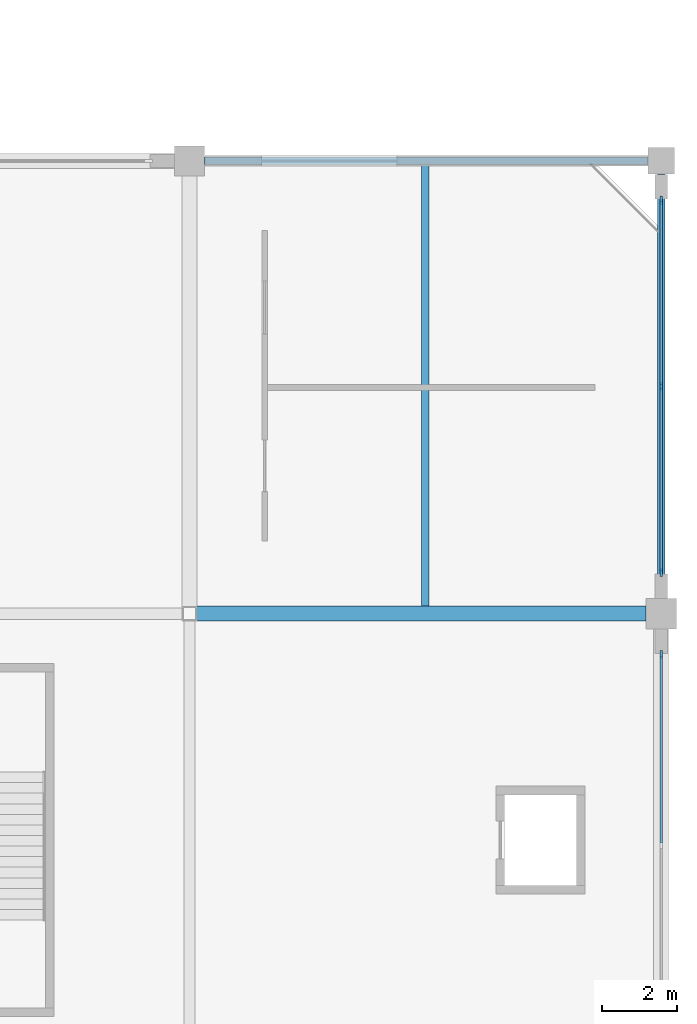
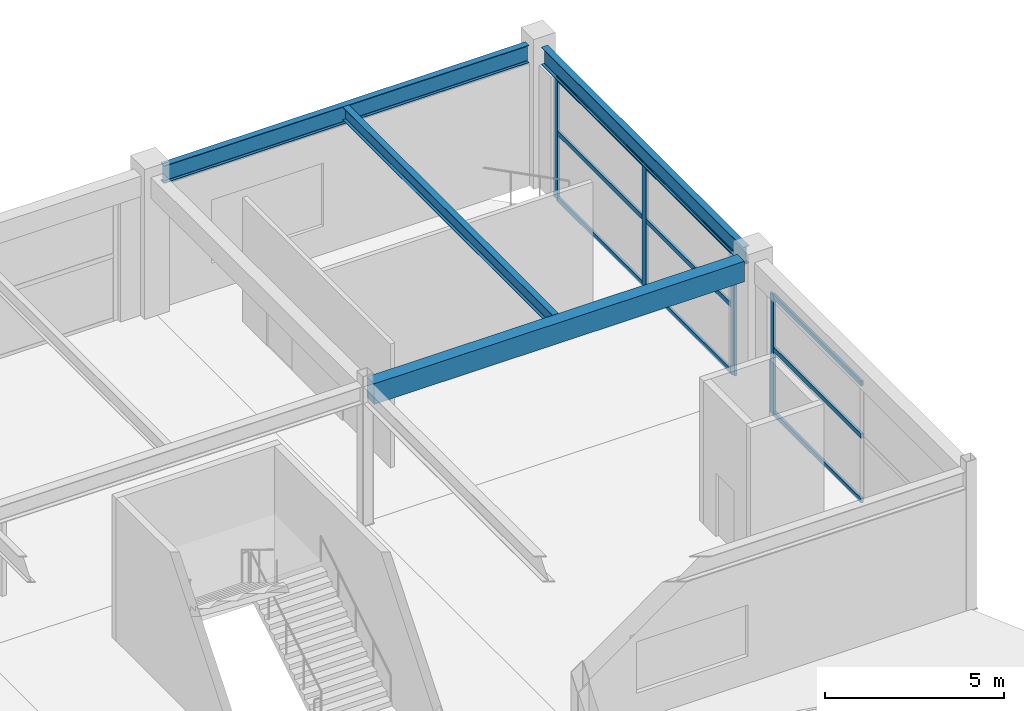
# One storey, part 68 of 128: 13 members, 4 beams, 2 elements without a shape of their own.
"""IFC4 building model written with IfcOpenShell, lengths in metres."""

import ifcopenshell
import ifcopenshell.guid

model = None  # the IFC model being written
_history = None  # IfcOwnerHistory: only IFC2X3 demands one
_inside = {}  # id of a spatial element -> (the spatial element, [elements in it])
_under = {}  # id of a project, library or spatial element -> (it, [spatial elements below it])
_declared = {}  # id of a project -> (the project, [libraries it declares])
_typed = {}  # id of a type object -> (the type object, [elements of that type])
_made_of = {}  # id of a material, layer set ... -> (it, [elements and type objects made of it])


def new_model(schema):
    """Start an empty IFC model of exactly this schema.

    Asked for "IFC4X3", IfcOpenShell would pick the latest addendum, in which some entities
    have other attributes; the version numbers below select the first issue.
    IFC2X3 requires an IfcOwnerHistory on every rooted entity: one is made here for all.
    """
    global model, _history
    if schema == "IFC4X3":
        model = ifcopenshell.file(schema_version=(4, 3, 0, 0))
    else:
        model = ifcopenshell.file(schema=schema)
    _inside.clear()
    _under.clear()
    _declared.clear()
    _typed.clear()
    _made_of.clear()
    _history = None
    if model.schema == "IFC2X3":
        org = make("IfcOrganization", Name="unknown")
        user = make(
            "IfcPersonAndOrganization",
            ThePerson=make("IfcPerson", FamilyName="unknown"),
            TheOrganization=org,
        )
        app = make(
            "IfcApplication",
            ApplicationDeveloper=org,
            Version="unknown",
            ApplicationFullName="unknown",
            ApplicationIdentifier="unknown",
        )
        _history = make(
            "IfcOwnerHistory",
            OwningUser=user,
            OwningApplication=app,
            ChangeAction="ADDED",
            CreationDate=0,
        )
    return model


def make(cls, **values):
    """One entity of the class cls with the attributes given. An attribute that is None is left unset."""
    return model.create_entity(
        cls, **{name: value for name, value in values.items() if value is not None}
    )


def rooted(cls, **values):
    """An entity with a GlobalId (a new one), such as an element, a storey or a relation."""
    return make(cls, GlobalId=ifcopenshell.guid.new(), OwnerHistory=_history, **values)


def si_unit(unit_type, name, prefix=None):
    """IfcSIUnit, for example si_unit("LENGTHUNIT", "METRE", prefix="MILLI")."""
    return make("IfcSIUnit", UnitType=unit_type, Prefix=prefix, Name=name)


def assignment(units):
    """IfcUnitAssignment: the units of a project."""
    return None if units is None else make("IfcUnitAssignment", Units=units)


def point(xyz):
    """IfcCartesianPoint."""
    return None if xyz is None else make("IfcCartesianPoint", Coordinates=xyz)


def direction(xyz):
    """IfcDirection."""
    return None if xyz is None else make("IfcDirection", DirectionRatios=xyz)


def frame(location, z_axis=None, x_axis=None):
    """IfcAxis2Placement3D, a coordinate frame: its origin and axes. An axis left out is left unset."""
    return make(
        "IfcAxis2Placement3D",
        Location=point(location),
        Axis=direction(z_axis),
        RefDirection=direction(x_axis),
    )


def frame_2d(location, x_axis=None):
    """IfcAxis2Placement2D, a coordinate frame in the plane: its origin and x axis."""
    return make(
        "IfcAxis2Placement2D", Location=point(location), RefDirection=direction(x_axis)
    )


def origin():
    """The frame at (0, 0, 0) with its axes left unset."""
    return frame((0.0, 0.0, 0.0))


def origin_2d():
    """The frame at (0, 0) in the plane with its x axis left unset."""
    return frame_2d((0.0, 0.0))


def place(relative_to, where):
    """IfcLocalPlacement: puts the frame where relative to a parent placement (None: the world)."""
    return make(
        "IfcLocalPlacement", PlacementRelTo=relative_to, RelativePlacement=where
    )


def context(
    kind, dimensions, precision=None, world=None, true_north=None, identifier=None
):
    """IfcGeometricRepresentationContext, for example the 3D "Model" context."""
    return make(
        "IfcGeometricRepresentationContext",
        ContextIdentifier=identifier,
        ContextType=kind,
        CoordinateSpaceDimension=dimensions,
        Precision=precision,
        WorldCoordinateSystem=world,
        TrueNorth=true_north,
    )


def subcontext(parent, identifier, kind, view, scale=None):
    """IfcGeometricRepresentationSubContext, for example "Body" below "Model"."""
    return make(
        "IfcGeometricRepresentationSubContext",
        ContextIdentifier=identifier,
        ContextType=kind,
        ParentContext=parent,
        TargetScale=scale,
        TargetView=view,
    )


def project(units=None, contexts=None):
    """IfcProject with its units and contexts."""
    return rooted(
        "IfcProject",
        Name="project",
        RepresentationContexts=contexts,
        UnitsInContext=assignment(units),
    )


def spatial(cls, under=None, at=None, **own):
    """A site, building, storey or space (cls), placed at a placement, below another one or the project."""
    s = rooted(cls, ObjectPlacement=at, **own)
    if under is not None:
        _under.setdefault(under.id(), (under, []))[1].append(s)
    return s


def profile(cls, at=None, kind="AREA", **sizes):
    """A parametric profile (cls). Its sizes go by their IFC names, for example OverallWidth=200.0."""
    return make(cls, ProfileType=kind, Position=at, **sizes)


def rectangle(**sizes):
    """IfcRectangleProfileDef."""
    return profile("IfcRectangleProfileDef", **sizes)


def i_section(**sizes):
    """IfcIShapeProfileDef."""
    return profile("IfcIShapeProfileDef", **sizes)


def extrude(swept, where, along, depth):
    """IfcExtrudedAreaSolid: the profile swept, set in the frame where, extruded along a direction by depth."""
    return make(
        "IfcExtrudedAreaSolid",
        SweptArea=swept,
        Position=where,
        ExtrudedDirection=direction(along),
        Depth=depth,
    )


def shape(context_of_items, identifier, shape_type, items):
    """IfcShapeRepresentation: the items that make up one representation, for example the "Body"."""
    return make(
        "IfcShapeRepresentation",
        ContextOfItems=context_of_items,
        RepresentationIdentifier=identifier,
        RepresentationType=shape_type,
        Items=items,
    )


def material(Name=None, Category=None):
    """IfcMaterial."""
    return make("IfcMaterial", Name=Name, Category=Category)


def layer(
    of_material, thickness, ventilated=None, Name=None, Category=None, Priority=None
):
    """IfcMaterialLayer: one layer of a wall or slab, of a material (None: an air gap)."""
    return make(
        "IfcMaterialLayer",
        Material=of_material,
        LayerThickness=thickness,
        IsVentilated=ventilated,
        Name=Name,
        Category=Category,
        Priority=Priority,
    )


def layer_set(layers, Name=None):
    """IfcMaterialLayerSet."""
    return make("IfcMaterialLayerSet", MaterialLayers=layers, LayerSetName=Name)


def material_profile(
    of_material, cross_section, Name=None, Category=None, Priority=None
):
    """IfcMaterialProfile: a cross section and its material."""
    return make(
        "IfcMaterialProfile",
        Name=Name,
        Material=of_material,
        Profile=cross_section,
        Priority=Priority,
        Category=Category,
    )


def profile_set(profiles, Name=None, composite=None):
    """IfcMaterialProfileSet."""
    return make(
        "IfcMaterialProfileSet",
        Name=Name,
        MaterialProfiles=profiles,
        CompositeProfile=composite,
    )


def made_of(thing, what):
    """Note that an element or type object is made of a material, layer set ...; save() writes the relation."""
    if what is not None:
        _made_of.setdefault(what.id(), (what, []))[1].append(thing)
    return thing


def type_object(cls, material=None, **own):
    """A type object (cls), such as IfcWallType, which elements share."""
    return made_of(rooted(cls, **own), material)


def element(
    cls,
    number,
    at=None,
    inside=None,
    cuts=None,
    type_object=None,
    material=None,
    context=None,
    identifier="Body",
    shape_type=None,
    held_by="IfcProductDefinitionShape",
    body=None,
    shapes=None,
    **own,
):
    """One element of the class cls, such as IfcWall. Its Tag is "e" and its number.

    at: its placement. inside: the storey or other place that contains it. cuts: it is an
    opening in that element (IfcRelVoidsElement). A single representation is given by context,
    identifier, shape_type and body (its items); several are given by shapes. held_by: the class
    of the entity that holds the representations. save() writes the other relations.
    """
    e = rooted(cls, Tag="e%d" % number, ObjectPlacement=at, **own)
    if body is not None:
        shapes = [shape(context, identifier, shape_type, body)]
    if shapes is not None:
        e.Representation = make(held_by, Representations=shapes)
    if inside is not None:
        _inside.setdefault(inside.id(), (inside, []))[1].append(e)
    if cuts is not None:
        rooted(
            "IfcRelVoidsElement", RelatingBuildingElement=cuts, RelatedOpeningElement=e
        )
    if type_object is not None:
        _typed.setdefault(type_object.id(), (type_object, []))[1].append(e)
    return made_of(e, material)


def aggregate(whole, parts):
    """IfcRelAggregates: a whole, such as a stair, and the parts it consists of."""
    return rooted("IfcRelAggregates", RelatingObject=whole, RelatedObjects=parts)


def save(model, path):
    """Write the relations noted so far, then the file.

    IfcRelAggregates (storeys below a building ...), IfcRelContainedInSpatialStructure (elements
    in a storey), IfcRelDefinesByType, IfcRelAssociatesMaterial and IfcRelDeclares: one each for
    every whole, place, type object, material and project.
    """
    for whole, parts in _under.values():
        aggregate(whole, parts)
    for where, things in _inside.values():
        rooted(
            "IfcRelContainedInSpatialStructure",
            RelatedElements=things,
            RelatingStructure=where,
        )
    for kind, things in _typed.values():
        rooted("IfcRelDefinesByType", RelatedObjects=things, RelatingType=kind)
    for what, things in _made_of.values():
        rooted("IfcRelAssociatesMaterial", RelatedObjects=things, RelatingMaterial=what)
    for by, libraries in _declared.values():
        rooted("IfcRelDeclares", RelatingContext=by, RelatedDefinitions=libraries)
    model.write(path)


model = new_model("IFC4")

# Units and contexts
model_context = context("Model", 3, precision=1e-05, world=origin(), true_north=direction((0.0, 1.0)))
body_context = subcontext(model_context, "Body", "Model", "MODEL_VIEW")
ifc_project = project(units=[si_unit("LENGTHUNIT", "METRE"), si_unit("AREAUNIT", "SQUARE_METRE"), si_unit("VOLUMEUNIT", "CUBIC_METRE"), si_unit("PLANEANGLEUNIT", "RADIAN"), si_unit("MASSUNIT", "GRAM", prefix="KILO")], contexts=[model_context])

# Site, building, storey
site_placement = place(None, origin())
site = spatial("IfcSite", under=ifc_project, at=site_placement, CompositionType="ELEMENT")
building_placement = place(site_placement, origin())
building = spatial("IfcBuilding", under=site, at=building_placement, Name="Kazenohara Klinker Stadium", CompositionType="ELEMENT")
storey_placement = place(building_placement, frame((0.0, 0.0, 15.300048828125)))
storey = spatial("IfcBuildingStorey", under=building, at=storey_placement, Name="L03", CompositionType="ELEMENT", Elevation=15.300048828125)

# Beams
ifc_material_1 = material(Name="Steel S355", Category="steel")
ifc_material_profile_1 = material_profile(ifc_material_1, i_section(OverallWidth=0.199951171875, OverallDepth=0.449951171875, WebThickness=0.009033203125, FlangeThickness=0.013916015625, FilletRadius=0.012939453125, at=origin_2d()), Name="H-450x200x9x14")
ifc_profile_set_1 = profile_set([ifc_material_profile_1], Name="Steel S355")
beam_type_1 = type_object("IfcBeamType", Name="BM-JST02", PredefinedType="JOIST", material=ifc_profile_set_1)
beam_1_placement = place(storey_placement, frame((193.75, 144.199951171875, 4.534912109375), z_axis=(0.0, 1.0, 0.0), x_axis=(-1.0, 0.0, 0.0)))
element("IfcBeam", 1, at=beam_1_placement, inside=storey, type_object=beam_type_1, Name="Secondary floor joist SJ02 L03 16/N", PredefinedType="JOIST", context=body_context, shape_type="SweptSolid", body=[
    extrude(i_section(OverallWidth=0.199951171875, OverallDepth=0.449951171875, WebThickness=0.009033203125, FlangeThickness=0.013916015625, FilletRadius=0.012939453125, at=origin_2d()), origin(), (0.0, 0.0, 1.0), 11.699951171875),
])
ifc_material_2 = material(Name="Concrete C40/50", Category="concrete")
ifc_material_profile_2 = material_profile(ifc_material_2, rectangle(XDim=0.39990234375, YDim=0.699951171875, at=origin_2d()), Name="RC-BM-400x700")
ifc_profile_set_2 = profile_set([ifc_material_profile_2], Name="Concrete C40/50")
beam_type_2 = type_object("IfcBeamType", Name="BM-RC04", PredefinedType="BEAM", material=ifc_profile_set_2)
beam_2_placement = place(storey_placement, frame((187.675048828125, 144.0, 4.409912109375), z_axis=(1.0, 0.0, 0.0), x_axis=(0.0, 1.0, 0.0)))
element("IfcBeam", 2, at=beam_2_placement, inside=storey, type_object=beam_type_2, Name="Primary girder BG04 L03 16-17/N", PredefinedType="BEAM", context=body_context, shape_type="SweptSolid", body=[
    extrude(rectangle(XDim=0.39990234375, YDim=0.699951171875, at=origin_2d()), origin(), (0.0, 0.0, 1.0), 11.925048828125),
])
ifc_material_profile_3 = material_profile(ifc_material_1, i_section(OverallWidth=0.199951171875, OverallDepth=0.60009765625, WebThickness=0.010986328125, FlangeThickness=0.01708984375, FilletRadius=0.012939453125, at=origin_2d()), Name="H-600x200x11x17")
ifc_profile_set_3 = profile_set([ifc_material_profile_3], Name="Steel S355")
beam_type_3 = type_object("IfcBeamType", Name="BM-ST04", PredefinedType="BEAM", material=ifc_profile_set_3)
beam_3_placement = place(storey_placement, frame((187.89990234375, 156.0, 4.4599609375), z_axis=(1.0, 0.0, 0.0), x_axis=(0.0, 1.0, 0.0)))
element("IfcBeam", 3, at=beam_3_placement, inside=storey, type_object=beam_type_3, Name="Primary girder SB04 L03 16-17/P", PredefinedType="BEAM", context=body_context, shape_type="SweptSolid", body=[
    extrude(i_section(OverallWidth=0.199951171875, OverallDepth=0.60009765625, WebThickness=0.010986328125, FlangeThickness=0.01708984375, FilletRadius=0.012939453125, at=origin_2d()), origin(), (0.0, 0.0, 1.0), 11.75),
])
beam_4_placement = place(storey_placement, frame((200.0, 144.39990234375, 4.4599609375), z_axis=(0.0, 1.0, 0.0), x_axis=(-1.0, 0.0, 0.0)))
element("IfcBeam", 4, at=beam_4_placement, inside=storey, type_object=beam_type_3, Name="Primary girder SB04 L03 17/N-P", PredefinedType="BEAM", context=body_context, shape_type="SweptSolid", body=[
    extrude(i_section(OverallWidth=0.199951171875, OverallDepth=0.60009765625, WebThickness=0.010986328125, FlangeThickness=0.01708984375, FilletRadius=0.012939453125, at=origin_2d()), origin(), (0.0, 0.0, 1.0), 11.25),
])

# Curtain wall, member
ifc_material_3 = material(Name="Anodised aluminium and triple glazing", Category="aluminium")
ifc_layer_1 = layer(ifc_material_3, 0.169921875)
ifc_layer_set_1 = layer_set([ifc_layer_1], Name="Anodised aluminium and triple glazing")
curtain_wall_type_1 = type_object("IfcCurtainWallType", Name="CW-SYS-04", PredefinedType="USERDEFINED", material=ifc_layer_set_1)
curtain_wall_1_placement = place(storey_placement, origin())
curtain_wall_1 = element("IfcCurtainWall", 5, at=curtain_wall_1_placement, inside=storey, type_object=curtain_wall_type_1, Name="Unitised facade curtain wall CW04 L03 Y16-11", ObjectType="UNITISED CURTAIN WALL", PredefinedType="USERDEFINED")
ifc_material_4 = material(Name="Anodised aluminium 6063-T6", Category="aluminium")
ifc_material_profile_4 = material_profile(ifc_material_4, rectangle(XDim=0.074951171875, YDim=0.219970703125, at=origin_2d()), Name="ALU-MUL-75x220")
ifc_profile_set_4 = profile_set([ifc_material_profile_4], Name="Anodised aluminium 6063-T6")
member_type_1 = type_object("IfcMemberType", Name="CW-MUL-220", PredefinedType="MULLION", material=ifc_profile_set_4)
member_1_placement = place(storey_placement, frame((200.0, 142.908447265625, 0.0), z_axis=(0.0, 0.0, 1.0), x_axis=(-1.0, 0.0, 0.0)))
member_1 = element("IfcMember", 6, at=member_1_placement, type_object=member_type_1, Name="CW04 mullion 3", PredefinedType="MULLION", context=body_context, shape_type="SweptSolid", body=[
    extrude(rectangle(XDim=0.074951171875, YDim=0.219970703125, at=origin_2d()), origin(), (0.0, 0.0, 1.0), 4.06005859375),
])

# Curtain wall, members
ifc_layer_2 = layer(ifc_material_3, 0.18994140625)
ifc_layer_set_2 = layer_set([ifc_layer_2], Name="Anodised aluminium and triple glazing")
curtain_wall_type_2 = type_object("IfcCurtainWallType", Name="CW-SYS-05", PredefinedType="USERDEFINED", material=ifc_layer_set_2)
curtain_wall_2_placement = place(storey_placement, origin())
curtain_wall_2 = element("IfcCurtainWall", 7, at=curtain_wall_2_placement, inside=storey, type_object=curtain_wall_type_2, Name="Unitised facade curtain wall CW05 L03 Y16-12", ObjectType="UNITISED CURTAIN WALL", PredefinedType="USERDEFINED")
member_2_placement = place(storey_placement, frame((200.0, 145.091552734375, 0.0), z_axis=(0.0, 0.0, 1.0), x_axis=(-1.0, 0.0, 0.0)))
member_2 = element("IfcMember", 8, at=member_2_placement, type_object=member_type_1, Name="CW05 mullion 1", PredefinedType="MULLION", context=body_context, shape_type="SweptSolid", body=[
    extrude(rectangle(XDim=0.074951171875, YDim=0.219970703125, at=origin_2d()), origin(), (0.0, 0.0, 1.0), 4.159912109375),
])
member_3_placement = place(storey_placement, frame((200.0, 150.02490234375, 0.0), z_axis=(0.0, 0.0, 1.0), x_axis=(-1.0, 0.0, 0.0)))
member_3 = element("IfcMember", 9, at=member_3_placement, type_object=member_type_1, Name="CW05 mullion 2", PredefinedType="MULLION", context=body_context, shape_type="SweptSolid", body=[
    extrude(rectangle(XDim=0.074951171875, YDim=0.219970703125, at=origin_2d()), origin(), (0.0, 0.0, 1.0), 4.159912109375),
])
member_4_placement = place(storey_placement, frame((200.0, 154.95849609375, 0.0), z_axis=(0.0, 0.0, 1.0), x_axis=(-1.0, 0.0, 0.0)))
member_4 = element("IfcMember", 10, at=member_4_placement, type_object=member_type_1, Name="CW05 mullion 3", PredefinedType="MULLION", context=body_context, shape_type="SweptSolid", body=[
    extrude(rectangle(XDim=0.074951171875, YDim=0.219970703125, at=origin_2d()), origin(), (0.0, 0.0, 1.0), 4.159912109375),
])

# Member
ifc_material_profile_5 = material_profile(ifc_material_4, rectangle(XDim=0.074951171875, YDim=0.159912109375, at=origin_2d()), Name="ALU-TRN-75x160")
ifc_profile_set_5 = profile_set([ifc_material_profile_5], Name="Anodised aluminium 6063-T6")
member_type_2 = type_object("IfcMemberType", Name="CW-TRN-160", PredefinedType="USERDEFINED", material=ifc_profile_set_5)
member_5_placement = place(storey_placement, frame((200.0, 137.925048828125, 0.037353515625), z_axis=(0.0, 1.0, 0.0), x_axis=(-1.0, 0.0, 0.0)))
member_5 = element("IfcMember", 11, at=member_5_placement, type_object=member_type_2, Name="CW04 transom 2.1", ObjectType="TRANSOM", PredefinedType="USERDEFINED", context=body_context, shape_type="SweptSolid", body=[
    extrude(rectangle(XDim=0.074951171875, YDim=0.159912109375, at=origin_2d()), origin(), (0.0, 0.0, 1.0), 4.946044921875),
])

member_6_placement = place(storey_placement, frame((200.0, 137.925048828125, 2.23291015625), z_axis=(0.0, 1.0, 0.0), x_axis=(-1.0, 0.0, 0.0)))
member_6 = element("IfcMember", 12, at=member_6_placement, type_object=member_type_2, Name="CW04 transom 2.2", ObjectType="TRANSOM", PredefinedType="USERDEFINED", context=body_context, shape_type="SweptSolid", body=[
    extrude(rectangle(XDim=0.074951171875, YDim=0.159912109375, at=origin_2d()), origin(), (0.0, 0.0, 1.0), 4.946044921875),
])

member_7_placement = place(storey_placement, frame((200.0, 137.925048828125, 4.0224609375), z_axis=(0.0, 1.0, 0.0), x_axis=(-1.0, 0.0, 0.0)))
member_7 = element("IfcMember", 13, at=member_7_placement, type_object=member_type_2, Name="CW04 transom 2.3", ObjectType="TRANSOM", PredefinedType="USERDEFINED", context=body_context, shape_type="SweptSolid", body=[
    extrude(rectangle(XDim=0.074951171875, YDim=0.159912109375, at=origin_2d()), origin(), (0.0, 0.0, 1.0), 4.946044921875),
])

aggregate(curtain_wall_1, [member_1, member_5, member_6, member_7])

member_8_placement = place(storey_placement, frame((200.0, 145.12890625, 0.037353515625), z_axis=(0.0, 1.0, 0.0), x_axis=(-1.0, 0.0, 0.0)))
member_8 = element("IfcMember", 14, at=member_8_placement, type_object=member_type_2, Name="CW05 transom 1.1", ObjectType="TRANSOM", PredefinedType="USERDEFINED", context=body_context, shape_type="SweptSolid", body=[
    extrude(rectangle(XDim=0.074951171875, YDim=0.159912109375, at=origin_2d()), origin(), (0.0, 0.0, 1.0), 4.858642578125),
])

member_9_placement = place(storey_placement, frame((200.0, 145.12890625, 2.287841796875), z_axis=(0.0, 1.0, 0.0), x_axis=(-1.0, 0.0, 0.0)))
member_9 = element("IfcMember", 15, at=member_9_placement, type_object=member_type_2, Name="CW05 transom 1.2", ObjectType="TRANSOM", PredefinedType="USERDEFINED", context=body_context, shape_type="SweptSolid", body=[
    extrude(rectangle(XDim=0.074951171875, YDim=0.159912109375, at=origin_2d()), origin(), (0.0, 0.0, 1.0), 4.858642578125),
])

member_10_placement = place(storey_placement, frame((200.0, 145.12890625, 4.12255859375), z_axis=(0.0, 1.0, 0.0), x_axis=(-1.0, 0.0, 0.0)))
member_10 = element("IfcMember", 16, at=member_10_placement, type_object=member_type_2, Name="CW05 transom 1.3", ObjectType="TRANSOM", PredefinedType="USERDEFINED", context=body_context, shape_type="SweptSolid", body=[
    extrude(rectangle(XDim=0.074951171875, YDim=0.159912109375, at=origin_2d()), origin(), (0.0, 0.0, 1.0), 4.858642578125),
])

member_11_placement = place(storey_placement, frame((200.0, 150.0625, 0.037353515625), z_axis=(0.0, 1.0, 0.0), x_axis=(-1.0, 0.0, 0.0)))
member_11 = element("IfcMember", 17, at=member_11_placement, type_object=member_type_2, Name="CW05 transom 2.1", ObjectType="TRANSOM", PredefinedType="USERDEFINED", context=body_context, shape_type="SweptSolid", body=[
    extrude(rectangle(XDim=0.074951171875, YDim=0.159912109375, at=origin_2d()), origin(), (0.0, 0.0, 1.0), 4.8583984375),
])

member_12_placement = place(storey_placement, frame((200.0, 150.0625, 2.287841796875), z_axis=(0.0, 1.0, 0.0), x_axis=(-1.0, 0.0, 0.0)))
member_12 = element("IfcMember", 18, at=member_12_placement, type_object=member_type_2, Name="CW05 transom 2.2", ObjectType="TRANSOM", PredefinedType="USERDEFINED", context=body_context, shape_type="SweptSolid", body=[
    extrude(rectangle(XDim=0.074951171875, YDim=0.159912109375, at=origin_2d()), origin(), (0.0, 0.0, 1.0), 4.8583984375),
])

member_13_placement = place(storey_placement, frame((200.0, 150.0625, 4.12255859375), z_axis=(0.0, 1.0, 0.0), x_axis=(-1.0, 0.0, 0.0)))
member_13 = element("IfcMember", 19, at=member_13_placement, type_object=member_type_2, Name="CW05 transom 2.3", ObjectType="TRANSOM", PredefinedType="USERDEFINED", context=body_context, shape_type="SweptSolid", body=[
    extrude(rectangle(XDim=0.074951171875, YDim=0.159912109375, at=origin_2d()), origin(), (0.0, 0.0, 1.0), 4.8583984375),
])

aggregate(curtain_wall_2, [member_2, member_3, member_4, member_8, member_9, member_10, member_11, member_12, member_13])

save(model, "model.ifc")
